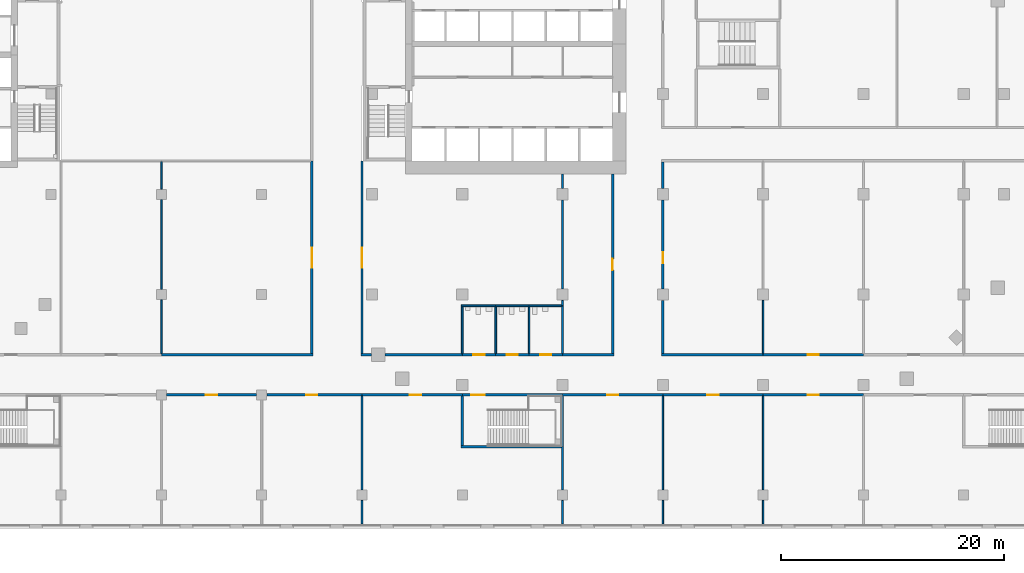
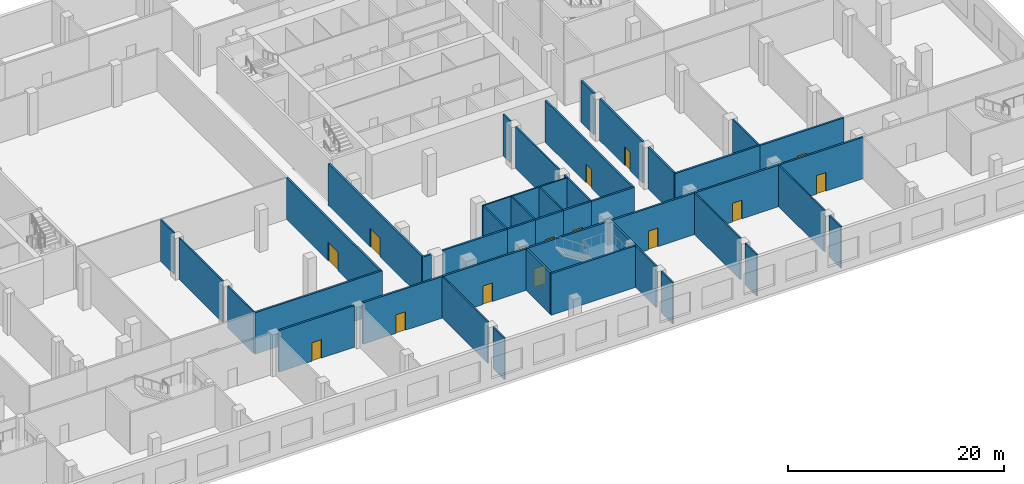
# One storey, part 9 of 21: 47 walls, 15 doors, 15 openings.
"""IFC4 building model written with IfcOpenShell, lengths in metres."""

from ifc_helpers import new_model, si_unit, direction, frame, frame_2d, origin, origin_with_axes, place, context, subcontext, project, spatial, rectangle, extrude, material, layer, layer_set, type_object, element, fill, save


model = new_model("IFC4")

# Units and contexts
model_context = context("Model", 3, precision=1e-05, world=origin(), true_north=direction((0.0, 1.0)))
body_context = subcontext(model_context, "Body", "Model", "MODEL_VIEW")
ifc_project = project(units=[si_unit("LENGTHUNIT", "METRE"), si_unit("AREAUNIT", "SQUARE_METRE"), si_unit("VOLUMEUNIT", "CUBIC_METRE"), si_unit("PLANEANGLEUNIT", "RADIAN"), si_unit("MASSUNIT", "GRAM", prefix="KILO")], contexts=[model_context])

# Site, building, storey
site_placement = place(None, origin())
site = spatial("IfcSite", under=ifc_project, at=site_placement, CompositionType="ELEMENT")
building_placement = place(site_placement, origin())
building = spatial("IfcBuilding", under=site, at=building_placement, Name="Cinnabar Reach Civic Tower", CompositionType="ELEMENT")
storey_placement = place(building_placement, frame((0.0, 0.0, 11.0)))
storey = spatial("IfcBuildingStorey", under=building, at=storey_placement, Name="L02", CompositionType="ELEMENT", Elevation=11.0)

# Wall, opening, door
ifc_material_1 = material(Name="Concrete blockwork", Category="masonry")
ifc_layer_1 = layer(ifc_material_1, 0.2)
ifc_layer_set_1 = layer_set([ifc_layer_1], Name="Podium masonry corridor wall 200 EI 120")
wall_type_1 = type_object("IfcWallType", Name="Podium masonry corridor wall 200 EI 120", PredefinedType="PARTITIONING", material=ifc_layer_set_1)
wall_1_placement = place(storey_placement, origin_with_axes())
wall_1 = element("IfcWall", 1, at=wall_1_placement, inside=storey, type_object=wall_type_1, Name="Wall L02 50", PredefinedType="PARTITIONING", context=body_context, shape_type="SweptSolid", body=[
    extrude(rectangle(XDim=9.0, YDim=0.2, at=frame_2d((4.5, 0.0))), origin(), (0.0, 0.0, 1.0), 4.7),
])
opening_1_placement = place(wall_1_placement, frame((4.3, 0.0, 0.0)))
opening_1 = element("IfcOpeningElement", 2, at=opening_1_placement, cuts=wall_1, Name="Opening D1113", PredefinedType="OPENING", context=body_context, shape_type="SweptSolid", body=[
    extrude(rectangle(XDim=1.0, YDim=2.1, at=frame_2d((0.5, 1.05))), frame((0.0, 0.11, 0.0), z_axis=(0.0, -1.0, 0.0), x_axis=(1.0, 0.0, 0.0)), (0.0, 0.0, 1.0), 0.22),
])
ifc_material_2 = material(Name="Painted steel door leaf", Category="steel")
door_type_1 = type_object("IfcDoorType", Name="Podium single door 1000x2100", OperationType="SINGLE_SWING_LEFT", PredefinedType="DOOR", material=ifc_material_2)
door_1_placement = place(opening_1_placement, frame((1.0, 0.0, 0.0), z_axis=(0.0, 0.0, 1.0), x_axis=(-1.0, 0.0, 0.0)))
door_1 = element("IfcDoor", 3, at=door_1_placement, inside=storey, type_object=door_type_1, Name="Door D1113", OperationType="SINGLE_SWING_LEFT", OverallHeight=2.1, OverallWidth=1.0, PredefinedType="DOOR", context=body_context, shape_type="SweptSolid", body=[
    extrude(rectangle(XDim=1.0, YDim=2.1, at=frame_2d((0.5, 1.05))), frame((0.0, 0.025, 0.0), z_axis=(0.0, -1.0, 0.0), x_axis=(1.0, 0.0, 0.0)), (0.0, 0.0, 1.0), 0.05),
])
fill(opening_1, door_1)

wall_2_placement = place(storey_placement, frame((18.0, 0.0, 0.0), z_axis=(0.0, 0.0, 1.0), x_axis=(1.0, 0.0, 0.0)))
wall_2 = element("IfcWall", 4, at=wall_2_placement, inside=storey, type_object=wall_type_1, Name="Wall L02 51", PredefinedType="PARTITIONING", context=body_context, shape_type="SweptSolid", body=[
    extrude(rectangle(XDim=9.0, YDim=0.2, at=frame_2d((4.5, 0.0))), origin(), (0.0, 0.0, 1.0), 4.7),
])
opening_2_placement = place(wall_2_placement, frame((4.0, 0.0, 0.0)))
opening_2 = element("IfcOpeningElement", 5, at=opening_2_placement, cuts=wall_2, Name="Opening D1114", PredefinedType="OPENING", context=body_context, shape_type="SweptSolid", body=[
    extrude(rectangle(XDim=1.0, YDim=2.1, at=frame_2d((0.5, 1.05))), frame((0.0, 0.11, 0.0), z_axis=(0.0, -1.0, 0.0), x_axis=(1.0, 0.0, 0.0)), (0.0, 0.0, 1.0), 0.22),
])
door_2_placement = place(opening_2_placement, frame((1.0, 0.0, 0.0), z_axis=(0.0, 0.0, 1.0), x_axis=(-1.0, 0.0, 0.0)))
door_2 = element("IfcDoor", 6, at=door_2_placement, inside=storey, type_object=door_type_1, Name="Door D1114", OperationType="SINGLE_SWING_RIGHT", OverallHeight=2.1, OverallWidth=1.0, PredefinedType="DOOR", context=body_context, shape_type="SweptSolid", body=[
    extrude(rectangle(XDim=1.0, YDim=2.1, at=frame_2d((0.5, 1.05))), frame((0.0, 0.025, 0.0), z_axis=(0.0, -1.0, 0.0), x_axis=(1.0, 0.0, 0.0)), (0.0, 0.0, 1.0), 0.05),
])
fill(opening_2, door_2)

wall_3_placement = place(storey_placement, frame((27.0, 0.0, 0.0), z_axis=(0.0, 0.0, 1.0), x_axis=(1.0, 0.0, 0.0)))
wall_3 = element("IfcWall", 7, at=wall_3_placement, inside=storey, type_object=wall_type_1, Name="Wall L02 52", PredefinedType="PARTITIONING", context=body_context, shape_type="SweptSolid", body=[
    extrude(rectangle(XDim=9.0, YDim=0.2, at=frame_2d((4.5, 0.0))), origin(), (0.0, 0.0, 1.0), 4.7),
])
opening_3_placement = place(wall_3_placement, frame((4.0, 0.0, 0.0)))
opening_3 = element("IfcOpeningElement", 8, at=opening_3_placement, cuts=wall_3, Name="Opening D1115", PredefinedType="OPENING", context=body_context, shape_type="SweptSolid", body=[
    extrude(rectangle(XDim=1.0, YDim=2.1, at=frame_2d((0.5, 1.05))), frame((0.0, 0.11, 0.0), z_axis=(0.0, -1.0, 0.0), x_axis=(1.0, 0.0, 0.0)), (0.0, 0.0, 1.0), 0.22),
])
door_3_placement = place(opening_3_placement, frame((1.0, 0.0, 0.0), z_axis=(0.0, 0.0, 1.0), x_axis=(-1.0, 0.0, 0.0)))
door_3 = element("IfcDoor", 9, at=door_3_placement, inside=storey, type_object=door_type_1, Name="Door D1115", OperationType="SINGLE_SWING_LEFT", OverallHeight=2.1, OverallWidth=1.0, PredefinedType="DOOR", context=body_context, shape_type="SweptSolid", body=[
    extrude(rectangle(XDim=1.0, YDim=2.1, at=frame_2d((0.5, 1.05))), frame((0.0, 0.025, 0.0), z_axis=(0.0, -1.0, 0.0), x_axis=(1.0, 0.0, 0.0)), (0.0, 0.0, 1.0), 0.05),
])
fill(opening_3, door_3)

wall_4_placement = place(storey_placement, frame((36.0, 0.0, 0.0), z_axis=(0.0, 0.0, 1.0), x_axis=(1.0, 0.0, 0.0)))
wall_4 = element("IfcWall", 10, at=wall_4_placement, inside=storey, type_object=wall_type_1, Name="Wall L02 53", PredefinedType="PARTITIONING", context=body_context, shape_type="SweptSolid", body=[
    extrude(rectangle(XDim=9.0, YDim=0.2, at=frame_2d((4.5, 0.0))), origin(), (0.0, 0.0, 1.0), 4.7),
])
opening_4_placement = place(wall_4_placement, frame((4.0, 0.0, 0.0)))
opening_4 = element("IfcOpeningElement", 11, at=opening_4_placement, cuts=wall_4, Name="Opening D1116", PredefinedType="OPENING", context=body_context, shape_type="SweptSolid", body=[
    extrude(rectangle(XDim=1.0, YDim=2.1, at=frame_2d((0.5, 1.05))), frame((0.0, 0.11, 0.0), z_axis=(0.0, -1.0, 0.0), x_axis=(1.0, 0.0, 0.0)), (0.0, 0.0, 1.0), 0.22),
])
door_4_placement = place(opening_4_placement, frame((1.0, 0.0, 0.0), z_axis=(0.0, 0.0, 1.0), x_axis=(-1.0, 0.0, 0.0)))
door_4 = element("IfcDoor", 12, at=door_4_placement, inside=storey, type_object=door_type_1, Name="Door D1116", OperationType="SINGLE_SWING_LEFT", OverallHeight=2.1, OverallWidth=1.0, PredefinedType="DOOR", context=body_context, shape_type="SweptSolid", body=[
    extrude(rectangle(XDim=1.0, YDim=2.1, at=frame_2d((0.5, 1.05))), frame((0.0, 0.025, 0.0), z_axis=(0.0, -1.0, 0.0), x_axis=(1.0, 0.0, 0.0)), (0.0, 0.0, 1.0), 0.05),
])
fill(opening_4, door_4)

# Walls
wall_5_placement = place(storey_placement, frame((-0.1, 3.6, 0.0), z_axis=(0.0, 0.0, 1.0), x_axis=(1.0, 0.0, 0.0)))
element("IfcWall", 13, at=wall_5_placement, inside=storey, type_object=wall_type_1, Name="Wall L02 55", PredefinedType="PARTITIONING", context=body_context, shape_type="SweptSolid", body=[
    extrude(rectangle(XDim=0.9331, YDim=0.2, at=frame_2d((0.4666, 0.0))), origin(), (0.0, 0.0, 1.0), 4.7),
])
wall_6_placement = place(storey_placement, frame((2.0731, 3.6, 0.0), z_axis=(0.0, 0.0, 1.0), x_axis=(1.0, 0.0, 0.0)))
element("IfcWall", 14, at=wall_6_placement, inside=storey, type_object=wall_type_1, Name="Wall L02 56", PredefinedType="PARTITIONING", context=body_context, shape_type="SweptSolid", body=[
    extrude(rectangle(XDim=6.9269, YDim=0.2, at=frame_2d((3.4634, 0.0))), origin(), (0.0, 0.0, 1.0), 4.7),
])

# Wall, opening, door
wall_7_placement = place(storey_placement, frame((9.0, 3.6, 0.0), z_axis=(0.0, 0.0, 1.0), x_axis=(1.0, 0.0, 0.0)))
wall_7 = element("IfcWall", 15, at=wall_7_placement, inside=storey, type_object=wall_type_1, Name="Wall L02 57", PredefinedType="PARTITIONING", context=body_context, shape_type="SweptSolid", body=[
    extrude(rectangle(XDim=3.0, YDim=0.2, at=frame_2d((1.5, 0.0))), origin(), (0.0, 0.0, 1.0), 4.7),
])
opening_5_placement = place(wall_7_placement, frame((1.0, 0.0, 0.0)))
opening_5 = element("IfcOpeningElement", 16, at=opening_5_placement, cuts=wall_7, Name="Opening D1125", PredefinedType="OPENING", context=body_context, shape_type="SweptSolid", body=[
    extrude(rectangle(XDim=1.0, YDim=2.1, at=frame_2d((0.5, 1.05))), frame((0.0, 0.11, 0.0), z_axis=(0.0, -1.0, 0.0), x_axis=(1.0, 0.0, 0.0)), (0.0, 0.0, 1.0), 0.22),
])
door_5_placement = place(opening_5_placement, origin())
door_5 = element("IfcDoor", 17, at=door_5_placement, inside=storey, type_object=door_type_1, Name="Door D1125", OperationType="SINGLE_SWING_LEFT", OverallHeight=2.1, OverallWidth=1.0, PredefinedType="DOOR", context=body_context, shape_type="SweptSolid", body=[
    extrude(rectangle(XDim=1.0, YDim=2.1, at=frame_2d((0.5, 1.05))), frame((0.0, 0.025, 0.0), z_axis=(0.0, -1.0, 0.0), x_axis=(1.0, 0.0, 0.0)), (0.0, 0.0, 1.0), 0.05),
])
fill(opening_5, door_5)

wall_8_placement = place(storey_placement, frame((12.0, 3.6, 0.0), z_axis=(0.0, 0.0, 1.0), x_axis=(1.0, 0.0, 0.0)))
wall_8 = element("IfcWall", 18, at=wall_8_placement, inside=storey, type_object=wall_type_1, Name="Wall L02 58", PredefinedType="PARTITIONING", context=body_context, shape_type="SweptSolid", body=[
    extrude(rectangle(XDim=3.0, YDim=0.2, at=frame_2d((1.5, 0.0))), origin(), (0.0, 0.0, 1.0), 4.7),
])
opening_6_placement = place(wall_8_placement, frame((1.0, 0.0, 0.0)))
opening_6 = element("IfcOpeningElement", 19, at=opening_6_placement, cuts=wall_8, Name="Opening D1126", PredefinedType="OPENING", context=body_context, shape_type="SweptSolid", body=[
    extrude(rectangle(XDim=1.0, YDim=2.1, at=frame_2d((0.5, 1.05))), frame((0.0, 0.11, 0.0), z_axis=(0.0, -1.0, 0.0), x_axis=(1.0, 0.0, 0.0)), (0.0, 0.0, 1.0), 0.22),
])
door_6_placement = place(opening_6_placement, origin())
door_6 = element("IfcDoor", 20, at=door_6_placement, inside=storey, type_object=door_type_1, Name="Door D1126", OperationType="SINGLE_SWING_LEFT", OverallHeight=2.1, OverallWidth=1.0, PredefinedType="DOOR", context=body_context, shape_type="SweptSolid", body=[
    extrude(rectangle(XDim=1.0, YDim=2.1, at=frame_2d((0.5, 1.05))), frame((0.0, 0.025, 0.0), z_axis=(0.0, -1.0, 0.0), x_axis=(1.0, 0.0, 0.0)), (0.0, 0.0, 1.0), 0.05),
])
fill(opening_6, door_6)

wall_9_placement = place(storey_placement, frame((15.0, 3.6, 0.0), z_axis=(0.0, 0.0, 1.0), x_axis=(1.0, 0.0, 0.0)))
wall_9 = element("IfcWall", 21, at=wall_9_placement, inside=storey, type_object=wall_type_1, Name="Wall L02 59", PredefinedType="PARTITIONING", context=body_context, shape_type="SweptSolid", body=[
    extrude(rectangle(XDim=3.0, YDim=0.2, at=frame_2d((1.5, 0.0))), origin(), (0.0, 0.0, 1.0), 4.7),
])
opening_7_placement = place(wall_9_placement, frame((1.0, 0.0, 0.0)))
opening_7 = element("IfcOpeningElement", 22, at=opening_7_placement, cuts=wall_9, Name="Opening D1127", PredefinedType="OPENING", context=body_context, shape_type="SweptSolid", body=[
    extrude(rectangle(XDim=1.0, YDim=2.1, at=frame_2d((0.5, 1.05))), frame((0.0, 0.11, 0.0), z_axis=(0.0, -1.0, 0.0), x_axis=(1.0, 0.0, 0.0)), (0.0, 0.0, 1.0), 0.22),
])
door_7_placement = place(opening_7_placement, origin())
door_7 = element("IfcDoor", 23, at=door_7_placement, inside=storey, type_object=door_type_1, Name="Door D1127", OperationType="SINGLE_SWING_RIGHT", OverallHeight=2.1, OverallWidth=1.0, PredefinedType="DOOR", context=body_context, shape_type="SweptSolid", body=[
    extrude(rectangle(XDim=1.0, YDim=2.1, at=frame_2d((0.5, 1.05))), frame((0.0, 0.025, 0.0), z_axis=(0.0, -1.0, 0.0), x_axis=(1.0, 0.0, 0.0)), (0.0, 0.0, 1.0), 0.05),
])
fill(opening_7, door_7)

# Walls
wall_10_placement = place(storey_placement, frame((18.0, 3.6, 0.0), z_axis=(0.0, 0.0, 1.0), x_axis=(1.0, 0.0, 0.0)))
element("IfcWall", 24, at=wall_10_placement, inside=storey, type_object=wall_type_1, Name="Wall L02 60", PredefinedType="PARTITIONING", context=body_context, shape_type="SweptSolid", body=[
    extrude(rectangle(XDim=4.6, YDim=0.2, at=frame_2d((2.3, 0.0))), origin(), (0.0, 0.0, 1.0), 4.7),
])
wall_11_placement = place(storey_placement, frame((26.9, 3.6, 0.0), z_axis=(0.0, 0.0, 1.0), x_axis=(1.0, 0.0, 0.0)))
element("IfcWall", 25, at=wall_11_placement, inside=storey, type_object=wall_type_1, Name="Wall L02 61", PredefinedType="PARTITIONING", context=body_context, shape_type="SweptSolid", body=[
    extrude(rectangle(XDim=9.1, YDim=0.2, at=frame_2d((4.55, 0.0))), origin(), (0.0, 0.0, 1.0), 4.7),
])

# Wall, opening, door
wall_12_placement = place(storey_placement, frame((36.0, 3.6, 0.0), z_axis=(0.0, 0.0, 1.0), x_axis=(1.0, 0.0, 0.0)))
wall_12 = element("IfcWall", 26, at=wall_12_placement, inside=storey, type_object=wall_type_1, Name="Wall L02 62", PredefinedType="PARTITIONING", context=body_context, shape_type="SweptSolid", body=[
    extrude(rectangle(XDim=9.0, YDim=0.2, at=frame_2d((4.5, 0.0))), origin(), (0.0, 0.0, 1.0), 4.7),
])
opening_8_placement = place(wall_12_placement, frame((4.0, 0.0, 0.0)))
opening_8 = element("IfcOpeningElement", 27, at=opening_8_placement, cuts=wall_12, Name="Opening D1130", PredefinedType="OPENING", context=body_context, shape_type="SweptSolid", body=[
    extrude(rectangle(XDim=1.0, YDim=2.1, at=frame_2d((0.5, 1.05))), frame((0.0, 0.11, 0.0), z_axis=(0.0, -1.0, 0.0), x_axis=(1.0, 0.0, 0.0)), (0.0, 0.0, 1.0), 0.22),
])
door_8_placement = place(opening_8_placement, origin())
door_8 = element("IfcDoor", 28, at=door_8_placement, inside=storey, type_object=door_type_1, Name="Door D1130", OperationType="SINGLE_SWING_RIGHT", OverallHeight=2.1, OverallWidth=1.0, PredefinedType="DOOR", context=body_context, shape_type="SweptSolid", body=[
    extrude(rectangle(XDim=1.0, YDim=2.1, at=frame_2d((0.5, 1.05))), frame((0.0, 0.025, 0.0), z_axis=(0.0, -1.0, 0.0), x_axis=(1.0, 0.0, 0.0)), (0.0, 0.0, 1.0), 0.05),
])
fill(opening_8, door_8)

wall_13_placement = place(storey_placement, frame((22.5, 3.7, 0.0), z_axis=(0.0, 0.0, 1.0), x_axis=(0.0, 1.0, 0.0)))
wall_13 = element("IfcWall", 29, at=wall_13_placement, inside=storey, type_object=wall_type_1, Name="Wall L02 105", PredefinedType="PARTITIONING", context=body_context, shape_type="SweptSolid", body=[
    extrude(rectangle(XDim=16.1, YDim=0.2, at=frame_2d((8.05, 0.0))), origin(), (0.0, 0.0, 1.0), 4.7),
])
opening_9_placement = place(wall_13_placement, frame((7.5, 0.0, 0.0)))
opening_9 = element("IfcOpeningElement", 30, at=opening_9_placement, cuts=wall_13, Name="Opening D1128", PredefinedType="OPENING", context=body_context, shape_type="SweptSolid", body=[
    extrude(rectangle(XDim=1.0, YDim=2.1, at=frame_2d((0.5, 1.05))), frame((0.0, 0.11, 0.0), z_axis=(0.0, -1.0, 0.0), x_axis=(1.0, 0.0, 0.0)), (0.0, 0.0, 1.0), 0.22),
])
door_9_placement = place(opening_9_placement, origin())
door_9 = element("IfcDoor", 31, at=door_9_placement, inside=storey, type_object=door_type_1, Name="Door D1128", OperationType="SINGLE_SWING_RIGHT", OverallHeight=2.1, OverallWidth=1.0, PredefinedType="DOOR", context=body_context, shape_type="SweptSolid", body=[
    extrude(rectangle(XDim=1.0, YDim=2.1, at=frame_2d((0.5, 1.05))), frame((0.0, 0.025, 0.0), z_axis=(0.0, -1.0, 0.0), x_axis=(1.0, 0.0, 0.0)), (0.0, 0.0, 1.0), 0.05),
])
fill(opening_9, door_9)

# Wall
wall_14_placement = place(storey_placement, frame((27.0, 3.7, 0.0), z_axis=(0.0, 0.0, 1.0), x_axis=(0.0, 1.0, 0.0)))
element("IfcWall", 32, at=wall_14_placement, inside=storey, type_object=wall_type_1, Name="Wall L02 106", PredefinedType="PARTITIONING", context=body_context, shape_type="SweptSolid", body=[
    extrude(rectangle(XDim=4.78, YDim=0.2, at=frame_2d((2.39, 0.0))), origin(), (0.0, 0.0, 1.0), 4.7),
])

# Wall, opening, door
wall_15_placement = place(storey_placement, frame((27.0, 9.52, 0.0), z_axis=(0.0, 0.0, 1.0), x_axis=(0.0, 1.0, 0.0)))
wall_15 = element("IfcWall", 33, at=wall_15_placement, inside=storey, type_object=wall_type_1, Name="Wall L02 107", PredefinedType="PARTITIONING", context=body_context, shape_type="SweptSolid", body=[
    extrude(rectangle(XDim=7.96, YDim=0.2, at=frame_2d((3.98, 0.0))), origin(), (0.0, 0.0, 1.0), 4.7),
])
opening_10_placement = place(wall_15_placement, frame((2.28, 0.0, 0.0)))
opening_10 = element("IfcOpeningElement", 34, at=opening_10_placement, cuts=wall_15, Name="Opening D1129", PredefinedType="OPENING", context=body_context, shape_type="SweptSolid", body=[
    extrude(rectangle(XDim=1.0, YDim=2.1, at=frame_2d((0.5, 1.05))), frame((0.0, 0.11, 0.0), z_axis=(0.0, -1.0, 0.0), x_axis=(1.0, 0.0, 0.0)), (0.0, 0.0, 1.0), 0.22),
])
door_10_placement = place(opening_10_placement, frame((1.0, 0.0, 0.0), z_axis=(0.0, 0.0, 1.0), x_axis=(-1.0, 0.0, 0.0)))
door_10 = element("IfcDoor", 35, at=door_10_placement, inside=storey, type_object=door_type_1, Name="Door D1129", OperationType="SINGLE_SWING_RIGHT", OverallHeight=2.1, OverallWidth=1.0, PredefinedType="DOOR", context=body_context, shape_type="SweptSolid", body=[
    extrude(rectangle(XDim=1.0, YDim=2.1, at=frame_2d((0.5, 1.05))), frame((0.0, 0.025, 0.0), z_axis=(0.0, -1.0, 0.0), x_axis=(1.0, 0.0, 0.0)), (0.0, 0.0, 1.0), 0.05),
])
fill(opening_10, door_10)

# Walls
wall_16_placement = place(storey_placement, frame((27.0, 18.52, 0.0), z_axis=(0.0, 0.0, 1.0), x_axis=(0.0, 1.0, 0.0)))
element("IfcWall", 36, at=wall_16_placement, inside=storey, type_object=wall_type_1, Name="Wall L02 108", PredefinedType="PARTITIONING", context=body_context, shape_type="SweptSolid", body=[
    extrude(rectangle(XDim=2.38, YDim=0.2, at=frame_2d((1.19, 0.0))), origin(), (0.0, 0.0, 1.0), 4.7),
])
wall_17_placement = place(storey_placement, frame((-18.0, 3.6, 0.0), z_axis=(0.0, 0.0, 1.0), x_axis=(1.0, 0.0, 0.0)))
element("IfcWall", 37, at=wall_17_placement, inside=storey, type_object=wall_type_1, Name="Wall L02 122", PredefinedType="PARTITIONING", context=body_context, shape_type="SweptSolid", body=[
    extrude(rectangle(XDim=13.6, YDim=0.2, at=frame_2d((6.8, 0.0))), origin(), (0.0, 0.0, 1.0), 4.7),
])

# Wall, opening, door
wall_18_placement = place(storey_placement, frame((-17.53, 0.0, 0.0), z_axis=(0.0, 0.0, 1.0), x_axis=(1.0, 0.0, 0.0)))
wall_18 = element("IfcWall", 38, at=wall_18_placement, inside=storey, type_object=wall_type_1, Name="Wall L02 124", PredefinedType="PARTITIONING", context=body_context, shape_type="SweptSolid", body=[
    extrude(rectangle(XDim=8.06, YDim=0.2, at=frame_2d((4.03, 0.0))), origin(), (0.0, 0.0, 1.0), 4.7),
])
opening_11_placement = place(wall_18_placement, frame((3.53, 0.0, 0.0)))
opening_11 = element("IfcOpeningElement", 39, at=opening_11_placement, cuts=wall_18, Name="Opening D1108", PredefinedType="OPENING", context=body_context, shape_type="SweptSolid", body=[
    extrude(rectangle(XDim=1.0, YDim=2.1, at=frame_2d((0.5, 1.05))), frame((0.0, 0.11, 0.0), z_axis=(0.0, -1.0, 0.0), x_axis=(1.0, 0.0, 0.0)), (0.0, 0.0, 1.0), 0.22),
])
door_11_placement = place(opening_11_placement, frame((1.0, 0.0, 0.0), z_axis=(0.0, 0.0, 1.0), x_axis=(-1.0, 0.0, 0.0)))
door_11 = element("IfcDoor", 40, at=door_11_placement, inside=storey, type_object=door_type_1, Name="Door D1108", OperationType="SINGLE_SWING_LEFT", OverallHeight=2.1, OverallWidth=1.0, PredefinedType="DOOR", context=body_context, shape_type="SweptSolid", body=[
    extrude(rectangle(XDim=1.0, YDim=2.1, at=frame_2d((0.5, 1.05))), frame((0.0, 0.025, 0.0), z_axis=(0.0, -1.0, 0.0), x_axis=(1.0, 0.0, 0.0)), (0.0, 0.0, 1.0), 0.05),
])
fill(opening_11, door_11)

wall_19_placement = place(storey_placement, frame((-8.53, 0.0, 0.0), z_axis=(0.0, 0.0, 1.0), x_axis=(1.0, 0.0, 0.0)))
wall_19 = element("IfcWall", 41, at=wall_19_placement, inside=storey, type_object=wall_type_1, Name="Wall L02 125", PredefinedType="PARTITIONING", context=body_context, shape_type="SweptSolid", body=[
    extrude(rectangle(XDim=8.53, YDim=0.2, at=frame_2d((4.265, 0.0))), origin(), (0.0, 0.0, 1.0), 4.7),
])
opening_12_placement = place(wall_19_placement, frame((3.53, 0.0, 0.0)))
opening_12 = element("IfcOpeningElement", 42, at=opening_12_placement, cuts=wall_19, Name="Opening D1109", PredefinedType="OPENING", context=body_context, shape_type="SweptSolid", body=[
    extrude(rectangle(XDim=1.0, YDim=2.1, at=frame_2d((0.5, 1.05))), frame((0.0, 0.11, 0.0), z_axis=(0.0, -1.0, 0.0), x_axis=(1.0, 0.0, 0.0)), (0.0, 0.0, 1.0), 0.22),
])
door_12_placement = place(opening_12_placement, frame((1.0, 0.0, 0.0), z_axis=(0.0, 0.0, 1.0), x_axis=(-1.0, 0.0, 0.0)))
door_12 = element("IfcDoor", 43, at=door_12_placement, inside=storey, type_object=door_type_1, Name="Door D1109", OperationType="SINGLE_SWING_LEFT", OverallHeight=2.1, OverallWidth=1.0, PredefinedType="DOOR", context=body_context, shape_type="SweptSolid", body=[
    extrude(rectangle(XDim=1.0, YDim=2.1, at=frame_2d((0.5, 1.05))), frame((0.0, 0.025, 0.0), z_axis=(0.0, -1.0, 0.0), x_axis=(1.0, 0.0, 0.0)), (0.0, 0.0, 1.0), 0.05),
])
fill(opening_12, door_12)

wall_20_placement = place(storey_placement, frame((-4.5, 3.7, 0.0), z_axis=(0.0, 0.0, 1.0), x_axis=(0.0, 1.0, 0.0)))
wall_20 = element("IfcWall", 44, at=wall_20_placement, inside=storey, type_object=wall_type_1, Name="Wall L02 127", PredefinedType="PARTITIONING", context=body_context, shape_type="SweptSolid", body=[
    extrude(rectangle(XDim=17.3, YDim=0.2, at=frame_2d((8.65, 0.0))), origin(), (0.0, 0.0, 1.0), 4.7),
])
opening_13_placement = place(wall_20_placement, frame((7.7, 0.0, 0.0)))
opening_13 = element("IfcOpeningElement", 45, at=opening_13_placement, cuts=wall_20, Name="Opening D1103", PredefinedType="OPENING", context=body_context, shape_type="SweptSolid", body=[
    extrude(rectangle(XDim=1.8, YDim=2.1, at=frame_2d((0.9, 1.05))), frame((0.0, 0.11, 0.0), z_axis=(0.0, -1.0, 0.0), x_axis=(1.0, 0.0, 0.0)), (0.0, 0.0, 1.0), 0.22),
])
door_type_2 = type_object("IfcDoorType", Name="Podium double door 1800x2100", OperationType="DOUBLE_DOOR_SINGLE_SWING", PredefinedType="DOOR", material=ifc_material_2)
door_13_placement = place(opening_13_placement, origin())
door_13 = element("IfcDoor", 46, at=door_13_placement, inside=storey, type_object=door_type_2, Name="Door D1103", OperationType="DOUBLE_DOOR_SINGLE_SWING", OverallHeight=2.1, OverallWidth=1.8, PredefinedType="DOOR", context=body_context, shape_type="SweptSolid", body=[
    extrude(rectangle(XDim=1.8, YDim=2.1, at=frame_2d((0.9, 1.05))), frame((0.0, 0.025, 0.0), z_axis=(0.0, -1.0, 0.0), x_axis=(1.0, 0.0, 0.0)), (0.0, 0.0, 1.0), 0.05),
])
fill(opening_13, door_13)

wall_21_placement = place(storey_placement, frame((0.0, 3.7, 0.0), z_axis=(0.0, 0.0, 1.0), x_axis=(0.0, 1.0, 0.0)))
wall_21 = element("IfcWall", 47, at=wall_21_placement, inside=storey, type_object=wall_type_1, Name="Wall L02 128", PredefinedType="PARTITIONING", context=body_context, shape_type="SweptSolid", body=[
    extrude(rectangle(XDim=17.3, YDim=0.2, at=frame_2d((8.65, 0.0))), origin(), (0.0, 0.0, 1.0), 4.7),
])
opening_14_placement = place(wall_21_placement, frame((7.7, 0.0, 0.0)))
opening_14 = element("IfcOpeningElement", 48, at=opening_14_placement, cuts=wall_21, Name="Opening D1124", PredefinedType="OPENING", context=body_context, shape_type="SweptSolid", body=[
    extrude(rectangle(XDim=1.8, YDim=2.1, at=frame_2d((0.9, 1.05))), frame((0.0, 0.11, 0.0), z_axis=(0.0, -1.0, 0.0), x_axis=(1.0, 0.0, 0.0)), (0.0, 0.0, 1.0), 0.22),
])
door_14_placement = place(opening_14_placement, frame((1.8, 0.0, 0.0), z_axis=(0.0, 0.0, 1.0), x_axis=(-1.0, 0.0, 0.0)))
door_14 = element("IfcDoor", 49, at=door_14_placement, inside=storey, type_object=door_type_2, Name="Door D1124", OperationType="DOUBLE_DOOR_SINGLE_SWING", OverallHeight=2.1, OverallWidth=1.8, PredefinedType="DOOR", context=body_context, shape_type="SweptSolid", body=[
    extrude(rectangle(XDim=1.8, YDim=2.1, at=frame_2d((0.9, 1.05))), frame((0.0, 0.025, 0.0), z_axis=(0.0, -1.0, 0.0), x_axis=(1.0, 0.0, 0.0)), (0.0, 0.0, 1.0), 0.05),
])
fill(opening_14, door_14)

# Walls
ifc_material_3 = material(Name="Gypsum board on steel studs", Category="steel")
ifc_layer_2 = layer(ifc_material_3, 0.15)
ifc_layer_set_2 = layer_set([ifc_layer_2], Name="Podium partition wall 150 EI 90")
wall_type_2 = type_object("IfcWallType", Name="Podium partition wall 150 EI 90", PredefinedType="PARTITIONING", material=ifc_layer_set_2)
wall_22_placement = place(storey_placement, frame((-18.0, 3.7, 0.0), z_axis=(0.0, 0.0, 1.0), x_axis=(0.0, 1.0, 0.0)))
element("IfcWall", 50, at=wall_22_placement, inside=storey, type_object=wall_type_2, Name="Wall L02 134", PredefinedType="PARTITIONING", context=body_context, shape_type="SweptSolid", body=[
    extrude(rectangle(XDim=4.83, YDim=0.15, at=frame_2d((2.415, 0.0))), origin(), (0.0, 0.0, 1.0), 4.7),
])
wall_23_placement = place(storey_placement, frame((-18.0, 9.47, 0.0), z_axis=(0.0, 0.0, 1.0), x_axis=(0.0, 1.0, 0.0)))
element("IfcWall", 51, at=wall_23_placement, inside=storey, type_object=wall_type_2, Name="Wall L02 135", PredefinedType="PARTITIONING", context=body_context, shape_type="SweptSolid", body=[
    extrude(rectangle(XDim=8.06, YDim=0.15, at=frame_2d((4.03, 0.0))), origin(), (0.0, 0.0, 1.0), 4.7),
])
wall_24_placement = place(storey_placement, frame((-18.0, 18.47, 0.0), z_axis=(0.0, 0.0, 1.0), x_axis=(0.0, 1.0, 0.0)))
element("IfcWall", 52, at=wall_24_placement, inside=storey, type_object=wall_type_2, Name="Wall L02 136", PredefinedType="PARTITIONING", context=body_context, shape_type="SweptSolid", body=[
    extrude(rectangle(XDim=2.455, YDim=0.15, at=frame_2d((1.2275, 0.0))), origin(), (0.0, 0.0, 1.0), 4.7),
])
wall_25_placement = place(storey_placement, frame((0.0, -11.6, 0.0), z_axis=(0.0, 0.0, 1.0), x_axis=(0.0, 1.0, 0.0)))
element("IfcWall", 53, at=wall_25_placement, inside=storey, type_object=wall_type_2, Name="Wall L02 157", PredefinedType="PARTITIONING", context=body_context, shape_type="SweptSolid", body=[
    extrude(rectangle(XDim=2.13, YDim=0.15, at=frame_2d((1.065, 0.0))), origin(), (0.0, 0.0, 1.0), 4.7),
])
wall_26_placement = place(storey_placement, frame((0.0, -8.53, 0.0), z_axis=(0.0, 0.0, 1.0), x_axis=(0.0, 1.0, 0.0)))
element("IfcWall", 54, at=wall_26_placement, inside=storey, type_object=wall_type_2, Name="Wall L02 158", PredefinedType="PARTITIONING", context=body_context, shape_type="SweptSolid", body=[
    extrude(rectangle(XDim=8.43, YDim=0.15, at=frame_2d((4.215, 0.0))), origin(), (0.0, 0.0, 1.0), 4.7),
])
wall_27_placement = place(storey_placement, frame((18.0, -11.6, 0.0), z_axis=(0.0, 0.0, 1.0), x_axis=(0.0, 1.0, 0.0)))
element("IfcWall", 55, at=wall_27_placement, inside=storey, type_object=wall_type_2, Name="Wall L02 163", PredefinedType="PARTITIONING", context=body_context, shape_type="SweptSolid", body=[
    extrude(rectangle(XDim=2.13, YDim=0.15, at=frame_2d((1.065, 0.0))), origin(), (0.0, 0.0, 1.0), 4.7),
])
wall_28_placement = place(storey_placement, frame((18.0, -8.53, 0.0), z_axis=(0.0, 0.0, 1.0), x_axis=(0.0, 1.0, 0.0)))
element("IfcWall", 56, at=wall_28_placement, inside=storey, type_object=wall_type_2, Name="Wall L02 164", PredefinedType="PARTITIONING", context=body_context, shape_type="SweptSolid", body=[
    extrude(rectangle(XDim=3.88, YDim=0.15, at=frame_2d((1.94, 0.0))), origin(), (0.0, 0.0, 1.0), 4.7),
])
wall_29_placement = place(storey_placement, frame((27.0, -11.6, 0.0), z_axis=(0.0, 0.0, 1.0), x_axis=(0.0, 1.0, 0.0)))
element("IfcWall", 57, at=wall_29_placement, inside=storey, type_object=wall_type_2, Name="Wall L02 165", PredefinedType="PARTITIONING", context=body_context, shape_type="SweptSolid", body=[
    extrude(rectangle(XDim=2.13, YDim=0.15, at=frame_2d((1.065, 0.0))), origin(), (0.0, 0.0, 1.0), 4.7),
])
wall_30_placement = place(storey_placement, frame((27.0, -8.53, 0.0), z_axis=(0.0, 0.0, 1.0), x_axis=(0.0, 1.0, 0.0)))
element("IfcWall", 58, at=wall_30_placement, inside=storey, type_object=wall_type_2, Name="Wall L02 166", PredefinedType="PARTITIONING", context=body_context, shape_type="SweptSolid", body=[
    extrude(rectangle(XDim=8.43, YDim=0.15, at=frame_2d((4.215, 0.0))), origin(), (0.0, 0.0, 1.0), 4.7),
])
wall_31_placement = place(storey_placement, frame((36.0, -11.6, 0.0), z_axis=(0.0, 0.0, 1.0), x_axis=(0.0, 1.0, 0.0)))
element("IfcWall", 59, at=wall_31_placement, inside=storey, type_object=wall_type_2, Name="Wall L02 167", PredefinedType="PARTITIONING", context=body_context, shape_type="SweptSolid", body=[
    extrude(rectangle(XDim=2.13, YDim=0.15, at=frame_2d((1.065, 0.0))), origin(), (0.0, 0.0, 1.0), 4.7),
])
wall_32_placement = place(storey_placement, frame((36.0, -8.53, 0.0), z_axis=(0.0, 0.0, 1.0), x_axis=(0.0, 1.0, 0.0)))
element("IfcWall", 60, at=wall_32_placement, inside=storey, type_object=wall_type_2, Name="Wall L02 168", PredefinedType="PARTITIONING", context=body_context, shape_type="SweptSolid", body=[
    extrude(rectangle(XDim=8.43, YDim=0.15, at=frame_2d((4.215, 0.0))), origin(), (0.0, 0.0, 1.0), 4.7),
])
wall_33_placement = place(storey_placement, frame((8.925, 8.0, 0.0), z_axis=(0.0, 0.0, 1.0), x_axis=(1.0, 0.0, 0.0)))
element("IfcWall", 61, at=wall_33_placement, inside=storey, type_object=wall_type_2, Name="Wall L02 184", PredefinedType="PARTITIONING", context=body_context, shape_type="SweptSolid", body=[
    extrude(rectangle(XDim=3.075, YDim=0.15, at=frame_2d((1.5375, 0.0))), origin(), (0.0, 0.0, 1.0), 4.7),
])
wall_34_placement = place(storey_placement, frame((9.0, 3.7, 0.0), z_axis=(0.0, 0.0, 1.0), x_axis=(0.0, 1.0, 0.0)))
element("IfcWall", 62, at=wall_34_placement, inside=storey, type_object=wall_type_2, Name="Wall L02 185", PredefinedType="PARTITIONING", context=body_context, shape_type="SweptSolid", body=[
    extrude(rectangle(XDim=4.225, YDim=0.15, at=frame_2d((2.1125, 0.0))), origin(), (0.0, 0.0, 1.0), 4.7),
])
wall_35_placement = place(storey_placement, frame((12.0, 8.0, 0.0), z_axis=(0.0, 0.0, 1.0), x_axis=(1.0, 0.0, 0.0)))
element("IfcWall", 63, at=wall_35_placement, inside=storey, type_object=wall_type_2, Name="Wall L02 186", PredefinedType="PARTITIONING", context=body_context, shape_type="SweptSolid", body=[
    extrude(rectangle(XDim=3.0, YDim=0.15, at=frame_2d((1.5, 0.0))), origin(), (0.0, 0.0, 1.0), 4.7),
])
wall_36_placement = place(storey_placement, frame((15.0, 8.0, 0.0), z_axis=(0.0, 0.0, 1.0), x_axis=(1.0, 0.0, 0.0)))
element("IfcWall", 64, at=wall_36_placement, inside=storey, type_object=wall_type_2, Name="Wall L02 187", PredefinedType="PARTITIONING", context=body_context, shape_type="SweptSolid", body=[
    extrude(rectangle(XDim=2.925, YDim=0.15, at=frame_2d((1.4625, 0.0))), origin(), (0.0, 0.0, 1.0), 4.7),
])
wall_37_placement = place(storey_placement, frame((18.0, 8.0, 0.0), z_axis=(0.0, 0.0, 1.0), x_axis=(0.0, 1.0, 0.0)))
element("IfcWall", 65, at=wall_37_placement, inside=storey, type_object=wall_type_2, Name="Wall L02 188", PredefinedType="PARTITIONING", context=body_context, shape_type="SweptSolid", body=[
    extrude(rectangle(XDim=0.48, YDim=0.15, at=frame_2d((0.24, 0.0))), origin(), (0.0, 0.0, 1.0), 4.7),
])
wall_38_placement = place(storey_placement, frame((18.0, 9.52, 0.0), z_axis=(0.0, 0.0, 1.0), x_axis=(0.0, 1.0, 0.0)))
element("IfcWall", 66, at=wall_38_placement, inside=storey, type_object=wall_type_2, Name="Wall L02 189", PredefinedType="PARTITIONING", context=body_context, shape_type="SweptSolid", body=[
    extrude(rectangle(XDim=7.96, YDim=0.15, at=frame_2d((3.98, 0.0))), origin(), (0.0, 0.0, 1.0), 4.7),
])
wall_39_placement = place(storey_placement, frame((18.0, 18.52, 0.0), z_axis=(0.0, 0.0, 1.0), x_axis=(0.0, 1.0, 0.0)))
element("IfcWall", 67, at=wall_39_placement, inside=storey, type_object=wall_type_2, Name="Wall L02 190", PredefinedType="PARTITIONING", context=body_context, shape_type="SweptSolid", body=[
    extrude(rectangle(XDim=1.28, YDim=0.15, at=frame_2d((0.64, 0.0))), origin(), (0.0, 0.0, 1.0), 4.7),
])
for number, where, z_axis, x_axis, name in (
    (68, (12.0, 3.7, 0.0), (0.0, 0.0, 1.0), (0.0, 1.0, 0.0), "Wall L02 191"),
    (69, (15.0, 3.7, 0.0), (0.0, 0.0, 1.0), (0.0, 1.0, 0.0), "Wall L02 192"),
):
    element("IfcWall", number, at=place(storey_placement, frame(where, z_axis=z_axis, x_axis=x_axis)), inside=storey, type_object=wall_type_2, Name=name, PredefinedType="PARTITIONING", context=body_context, shape_type="SweptSolid", body=[
        extrude(rectangle(XDim=4.225, YDim=0.15, at=frame_2d((2.1125, 0.0))), origin(), (0.0, 0.0, 1.0), 4.7),
    ])
wall_40_placement = place(storey_placement, frame((18.0, 3.7, 0.0), z_axis=(0.0, 0.0, 1.0), x_axis=(0.0, 1.0, 0.0)))
element("IfcWall", 70, at=wall_40_placement, inside=storey, type_object=wall_type_2, Name="Wall L02 193", PredefinedType="PARTITIONING", context=body_context, shape_type="SweptSolid", body=[
    extrude(rectangle(XDim=4.3, YDim=0.15, at=frame_2d((2.15, 0.0))), origin(), (0.0, 0.0, 1.0), 4.7),
])
wall_41_placement = place(storey_placement, frame((36.0, 3.7, 0.0), z_axis=(0.0, 0.0, 1.0), x_axis=(0.0, 1.0, 0.0)))
element("IfcWall", 71, at=wall_41_placement, inside=storey, type_object=wall_type_2, Name="Wall L02 194", PredefinedType="PARTITIONING", context=body_context, shape_type="SweptSolid", body=[
    extrude(rectangle(XDim=4.78, YDim=0.15, at=frame_2d((2.39, 0.0))), origin(), (0.0, 0.0, 1.0), 4.7),
])

# Wall, opening, door
ifc_material_4 = material(Name="Concrete C40", Category="concrete")
ifc_layer_3 = layer(ifc_material_4, 0.2)
ifc_layer_set_3 = layer_set([ifc_layer_3], Name="Podium stair shaft wall 200 EI 120")
wall_type_3 = type_object("IfcWallType", Name="Podium stair shaft wall 200 EI 120", PredefinedType="SOLIDWALL", material=ifc_layer_set_3)
wall_42_placement = place(storey_placement, frame((9.0, 0.0, 0.0), z_axis=(0.0, 0.0, 1.0), x_axis=(1.0, 0.0, 0.0)))
wall_42 = element("IfcWall", 72, at=wall_42_placement, inside=storey, type_object=wall_type_3, Name="Wall L02 9", PredefinedType="SOLIDWALL", context=body_context, shape_type="SweptSolid", body=[
    extrude(rectangle(XDim=9.0, YDim=0.2, at=frame_2d((4.5, 0.0))), origin(), (0.0, 0.0, 1.0), 4.7),
])
opening_15_placement = place(wall_42_placement, frame((0.8, 0.0, 0.0)))
opening_15 = element("IfcOpeningElement", 73, at=opening_15_placement, cuts=wall_42, Name="Opening D1155", PredefinedType="OPENING", context=body_context, shape_type="SweptSolid", body=[
    extrude(rectangle(XDim=1.2, YDim=2.1, at=frame_2d((0.6, 1.05))), frame((0.0, 0.11, 0.0), z_axis=(0.0, -1.0, 0.0), x_axis=(1.0, 0.0, 0.0)), (0.0, 0.0, 1.0), 0.22),
])
door_type_3 = type_object("IfcDoorType", Name="Podium single door 1200x2100", OperationType="SINGLE_SWING_LEFT", PredefinedType="DOOR", material=ifc_material_2)
door_15_placement = place(opening_15_placement, frame((1.2, 0.0, 0.0), z_axis=(0.0, 0.0, 1.0), x_axis=(-1.0, 0.0, 0.0)))
door_15 = element("IfcDoor", 74, at=door_15_placement, inside=storey, type_object=door_type_3, Name="Door D1155", OperationType="SINGLE_SWING_LEFT", OverallHeight=2.1, OverallWidth=1.2, PredefinedType="DOOR", context=body_context, shape_type="SweptSolid", body=[
    extrude(rectangle(XDim=1.2, YDim=2.1, at=frame_2d((0.6, 1.05))), frame((0.0, 0.025, 0.0), z_axis=(0.0, -1.0, 0.0), x_axis=(1.0, 0.0, 0.0)), (0.0, 0.0, 1.0), 0.05),
])
fill(opening_15, door_15)

# Walls
wall_43_placement = place(storey_placement, frame((8.9, -4.65, 0.0), z_axis=(0.0, 0.0, 1.0), x_axis=(1.0, 0.0, 0.0)))
element("IfcWall", 75, at=wall_43_placement, inside=storey, type_object=wall_type_3, Name="Wall L02 10", PredefinedType="SOLIDWALL", context=body_context, shape_type="SweptSolid", body=[
    extrude(rectangle(XDim=9.0, YDim=0.2, at=frame_2d((4.5, 0.0))), origin(), (0.0, 0.0, 1.0), 4.7),
])
wall_44_placement = place(storey_placement, frame((9.0, -4.55, 0.0), z_axis=(0.0, 0.0, 1.0), x_axis=(0.0, 1.0, 0.0)))
element("IfcWall", 76, at=wall_44_placement, inside=storey, type_object=wall_type_3, Name="Wall L02 11", PredefinedType="SOLIDWALL", context=body_context, shape_type="SweptSolid", body=[
    extrude(rectangle(XDim=4.45, YDim=0.2, at=frame_2d((2.225, 0.0))), origin(), (0.0, 0.0, 1.0), 4.7),
])
wall_45_placement = place(storey_placement, frame((18.0, -4.65, 0.0), z_axis=(0.0, 0.0, 1.0), x_axis=(0.0, 1.0, 0.0)))
element("IfcWall", 77, at=wall_45_placement, inside=storey, type_object=wall_type_3, Name="Wall L02 12", PredefinedType="SOLIDWALL", context=body_context, shape_type="SweptSolid", body=[
    extrude(rectangle(XDim=4.55, YDim=0.2, at=frame_2d((2.275, 0.0))), origin(), (0.0, 0.0, 1.0), 4.7),
])

save(model, "model.ifc")
